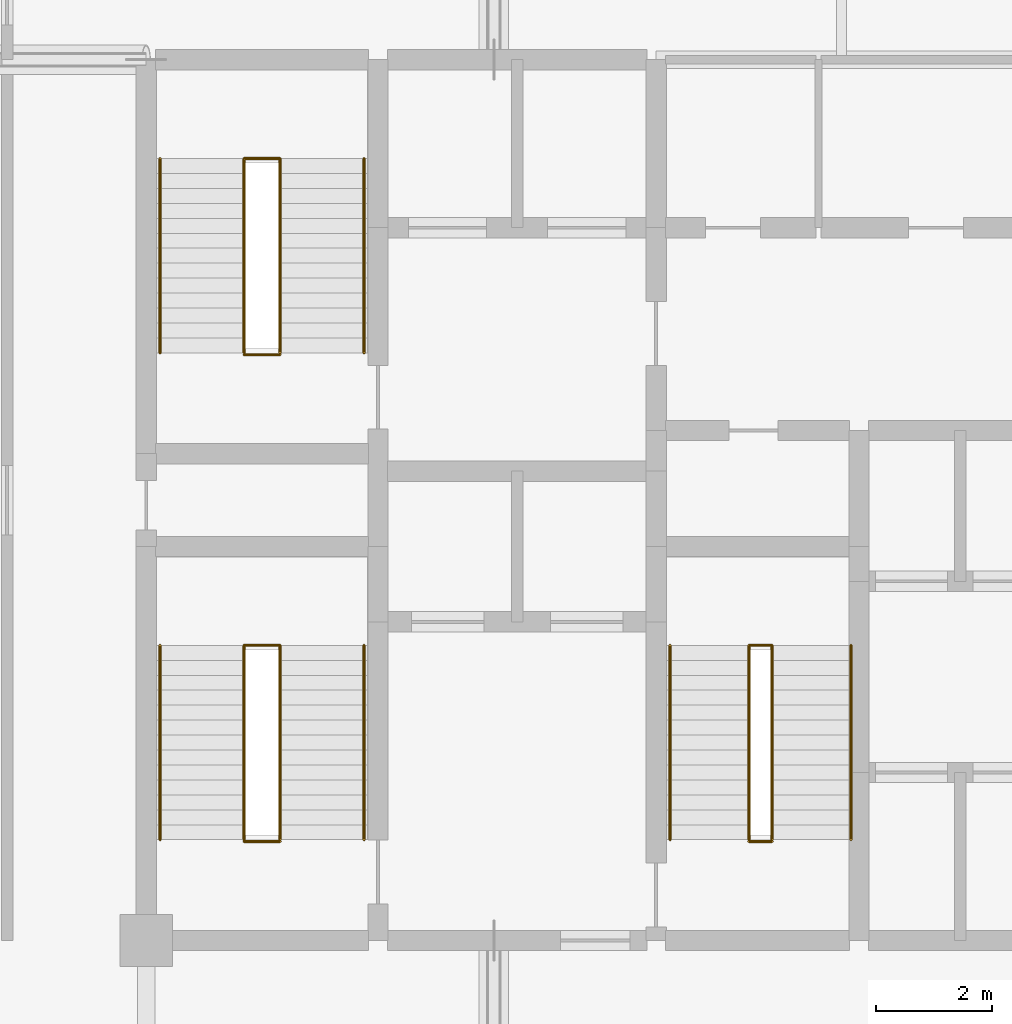
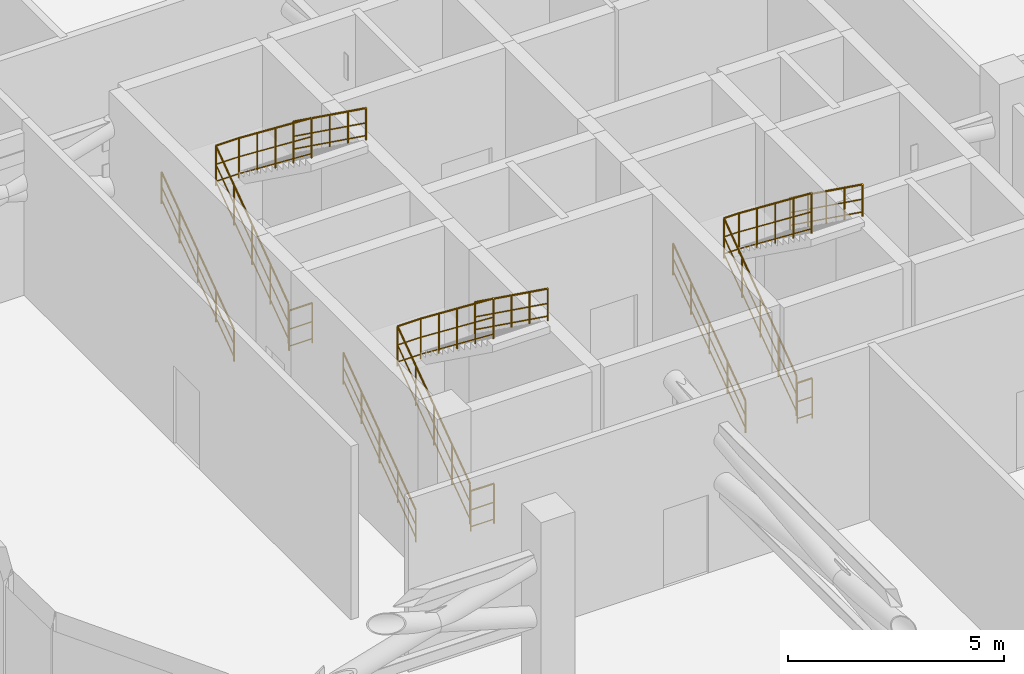
# One storey, part 12 of 12: 12 railings.
"""IFC4 building model written with IfcOpenShell, lengths in metres."""

from ifc_helpers import new_model, si_unit, direction, frame, origin, origin_2d, place, context, subcontext, project, spatial, circle, extrude, material, layer, layer_set, type_object, element, save


model = new_model("IFC4")

# Units and contexts
model_context = context("Model", 3, precision=1e-05, world=origin(), true_north=direction((0.0, 1.0)))
body_context = subcontext(model_context, "Body", "Model", "MODEL_VIEW")
ifc_project = project(units=[si_unit("LENGTHUNIT", "METRE"), si_unit("AREAUNIT", "SQUARE_METRE"), si_unit("VOLUMEUNIT", "CUBIC_METRE"), si_unit("PLANEANGLEUNIT", "RADIAN"), si_unit("MASSUNIT", "GRAM", prefix="KILO")], contexts=[model_context])

# Site, building, storey
site_placement = place(None, origin())
site = spatial("IfcSite", under=ifc_project, at=site_placement, CompositionType="ELEMENT")
building_placement = place(site_placement, origin())
building = spatial("IfcBuilding", under=site, at=building_placement, Name="Keshet Zoharim Tower", CompositionType="ELEMENT")
storey_placement = place(building_placement, frame((0.0, 0.0, 159.39990234375)))
storey = spatial("IfcBuildingStorey", under=building, at=storey_placement, Name="L39", CompositionType="ELEMENT", Elevation=159.39990234375)

# Railings
ifc_material = material(Name="Steel S355", Category="steel")
ifc_layer_1 = layer(ifc_material, 0.050048828125)
ifc_layer_set_1 = layer_set([ifc_layer_1], Name="Steel S355")
railing_type_1 = type_object("IfcRailingType", Name="RL-HND-092", PredefinedType="HANDRAIL", material=ifc_layer_set_1)
railing_1_placement = place(storey_placement, frame((15.239990234375, 24.43994140625, 0.185791015625)))
element("IfcRailing", 1, at=railing_1_placement, inside=storey, type_object=railing_type_1, Name="L39 ST-01 Flight 1 Wall Handrail", PredefinedType="HANDRAIL", context=body_context, shape_type="SweptSolid", body=[
    extrude(circle(Radius=0.02392578125, at=origin_2d()), frame((0.0, 0.0, 0.89599609375), z_axis=(0.0, 0.811600447766, 0.584212900565), x_axis=(-1.0, 0.0, 0.0)), (0.0, 0.0, 1.0), 4.132568359375),
    extrude(circle(Radius=0.01611328125, at=origin_2d()), frame((0.0, 0.0, 0.478271484375), z_axis=(0.0, 0.811600447766, 0.584212900565), x_axis=(-1.0, 0.0, 0.0)), (0.0, 0.0, 1.0), 4.132568359375),
    extrude(circle(Radius=0.01611328125, at=origin_2d()), frame((0.0, 0.0, 0.1201171875), z_axis=(0.0, 0.811600447766, 0.584212900565), x_axis=(-1.0, 0.0, 0.0)), (0.0, 0.0, 1.0), 4.132568359375),
    extrude(circle(Radius=0.02099609375, at=origin_2d()), origin(), (0.0, 0.0, 1.0), 0.871826171875),
    extrude(circle(Radius=0.02099609375, at=origin_2d()), frame((0.0, 0.83837890625, 0.603515625)), (0.0, 0.0, 1.0), 0.871826171875),
    extrude(circle(Radius=0.02099609375, at=origin_2d()), frame((0.0, 1.677001953125, 1.20703125)), (0.0, 0.0, 1.0), 0.871826171875),
    extrude(circle(Radius=0.02099609375, at=origin_2d()), frame((0.0, 2.515625, 1.810791015625)), (0.0, 0.0, 1.0), 0.871826171875),
    extrude(circle(Radius=0.02099609375, at=origin_2d()), frame((0.0, 3.35400390625, 2.414306640625)), (0.0, 0.0, 1.0), 0.871826171875),
])
railing_2_placement = place(storey_placement, frame((18.760009765625, 27.7939453125, 2.785888671875)))
element("IfcRailing", 2, at=railing_2_placement, inside=storey, type_object=railing_type_1, Name="L39 ST-01 Flight 2 Wall Handrail", PredefinedType="HANDRAIL", context=body_context, shape_type="SweptSolid", body=[
    extrude(circle(Radius=0.02392578125, at=origin_2d()), frame((0.0, 0.0, 0.89599609375), z_axis=(0.0, -0.811600447766, 0.584212900565), x_axis=(1.0, 0.0, 0.0)), (0.0, 0.0, 1.0), 4.132568359375),
    extrude(circle(Radius=0.01611328125, at=origin_2d()), frame((0.0, 0.0, 0.478271484375), z_axis=(0.0, -0.811600447766, 0.584212900565), x_axis=(1.0, 0.0, 0.0)), (0.0, 0.0, 1.0), 4.132568359375),
    extrude(circle(Radius=0.01611328125, at=origin_2d()), frame((0.0, 0.0, 0.1201171875), z_axis=(0.0, -0.811600447766, 0.584212900565), x_axis=(1.0, 0.0, 0.0)), (0.0, 0.0, 1.0), 4.132568359375),
    extrude(circle(Radius=0.02099609375, at=origin_2d()), origin(), (0.0, 0.0, 1.0), 0.871826171875),
    extrude(circle(Radius=0.02099609375, at=origin_2d()), frame((0.0, -0.83837890625, 0.603515625)), (0.0, 0.0, 1.0), 0.871826171875),
    extrude(circle(Radius=0.02099609375, at=origin_2d()), frame((0.0, -1.677001953125, 1.20703125)), (0.0, 0.0, 1.0), 0.871826171875),
    extrude(circle(Radius=0.02099609375, at=origin_2d()), frame((0.0, -2.515625, 1.810791015625)), (0.0, 0.0, 1.0), 0.871826171875),
    extrude(circle(Radius=0.02099609375, at=origin_2d()), frame((0.0, -3.35400390625, 2.414306640625)), (0.0, 0.0, 1.0), 0.871826171875),
])
railing_3_placement = place(storey_placement, frame((15.239990234375, 32.840087890625, 0.185791015625)))
element("IfcRailing", 3, at=railing_3_placement, inside=storey, type_object=railing_type_1, Name="L39 ST-02 Flight 1 Wall Handrail", PredefinedType="HANDRAIL", context=body_context, shape_type="SweptSolid", body=[
    extrude(circle(Radius=0.02392578125, at=origin_2d()), frame((0.0, 0.0, 0.89599609375), z_axis=(0.0, 0.811600447766, 0.584212900565), x_axis=(-1.0, 0.0, 0.0)), (0.0, 0.0, 1.0), 4.132568359375),
    extrude(circle(Radius=0.01611328125, at=origin_2d()), frame((0.0, 0.0, 0.478271484375), z_axis=(0.0, 0.811600447766, 0.584212900565), x_axis=(-1.0, 0.0, 0.0)), (0.0, 0.0, 1.0), 4.132568359375),
    extrude(circle(Radius=0.01611328125, at=origin_2d()), frame((0.0, 0.0, 0.1201171875), z_axis=(0.0, 0.811600447766, 0.584212900565), x_axis=(-1.0, 0.0, 0.0)), (0.0, 0.0, 1.0), 4.132568359375),
    extrude(circle(Radius=0.02099609375, at=origin_2d()), origin(), (0.0, 0.0, 1.0), 0.871826171875),
    extrude(circle(Radius=0.02099609375, at=origin_2d()), frame((0.0, 0.83837890625, 0.603515625)), (0.0, 0.0, 1.0), 0.871826171875),
    extrude(circle(Radius=0.02099609375, at=origin_2d()), frame((0.0, 1.677001953125, 1.20703125)), (0.0, 0.0, 1.0), 0.871826171875),
    extrude(circle(Radius=0.02099609375, at=origin_2d()), frame((0.0, 2.515625, 1.810791015625)), (0.0, 0.0, 1.0), 0.871826171875),
    extrude(circle(Radius=0.02099609375, at=origin_2d()), frame((0.0, 3.35400390625, 2.414306640625)), (0.0, 0.0, 1.0), 0.871826171875),
])
railing_4_placement = place(storey_placement, frame((18.760009765625, 36.194091796875, 2.785888671875)))
element("IfcRailing", 4, at=railing_4_placement, inside=storey, type_object=railing_type_1, Name="L39 ST-02 Flight 2 Wall Handrail", PredefinedType="HANDRAIL", context=body_context, shape_type="SweptSolid", body=[
    extrude(circle(Radius=0.02392578125, at=origin_2d()), frame((0.0, 0.0, 0.89599609375), z_axis=(0.0, -0.811600447766, 0.584212900565), x_axis=(1.0, 0.0, 0.0)), (0.0, 0.0, 1.0), 4.132568359375),
    extrude(circle(Radius=0.01611328125, at=origin_2d()), frame((0.0, 0.0, 0.478271484375), z_axis=(0.0, -0.811600447766, 0.584212900565), x_axis=(1.0, 0.0, 0.0)), (0.0, 0.0, 1.0), 4.132568359375),
    extrude(circle(Radius=0.01611328125, at=origin_2d()), frame((0.0, 0.0, 0.1201171875), z_axis=(0.0, -0.811600447766, 0.584212900565), x_axis=(1.0, 0.0, 0.0)), (0.0, 0.0, 1.0), 4.132568359375),
    extrude(circle(Radius=0.02099609375, at=origin_2d()), origin(), (0.0, 0.0, 1.0), 0.871826171875),
    extrude(circle(Radius=0.02099609375, at=origin_2d()), frame((0.0, -0.83837890625, 0.603515625)), (0.0, 0.0, 1.0), 0.871826171875),
    extrude(circle(Radius=0.02099609375, at=origin_2d()), frame((0.0, -1.677001953125, 1.20703125)), (0.0, 0.0, 1.0), 0.871826171875),
    extrude(circle(Radius=0.02099609375, at=origin_2d()), frame((0.0, -2.515625, 1.810791015625)), (0.0, 0.0, 1.0), 0.871826171875),
    extrude(circle(Radius=0.02099609375, at=origin_2d()), frame((0.0, -3.35400390625, 2.414306640625)), (0.0, 0.0, 1.0), 0.871826171875),
])
railing_5_placement = place(storey_placement, frame((24.0400390625, 24.43994140625, 0.185791015625)))
element("IfcRailing", 5, at=railing_5_placement, inside=storey, type_object=railing_type_1, Name="L39 ST-03 Flight 1 Wall Handrail", PredefinedType="HANDRAIL", context=body_context, shape_type="SweptSolid", body=[
    extrude(circle(Radius=0.02392578125, at=origin_2d()), frame((0.0, 0.0, 0.89599609375), z_axis=(0.0, 0.811600447766, 0.584212900565), x_axis=(-1.0, 0.0, 0.0)), (0.0, 0.0, 1.0), 4.132568359375),
    extrude(circle(Radius=0.01611328125, at=origin_2d()), frame((0.0, 0.0, 0.478271484375), z_axis=(0.0, 0.811600447766, 0.584212900565), x_axis=(-1.0, 0.0, 0.0)), (0.0, 0.0, 1.0), 4.132568359375),
    extrude(circle(Radius=0.01611328125, at=origin_2d()), frame((0.0, 0.0, 0.1201171875), z_axis=(0.0, 0.811600447766, 0.584212900565), x_axis=(-1.0, 0.0, 0.0)), (0.0, 0.0, 1.0), 4.132568359375),
    extrude(circle(Radius=0.02099609375, at=origin_2d()), origin(), (0.0, 0.0, 1.0), 0.871826171875),
    extrude(circle(Radius=0.02099609375, at=origin_2d()), frame((0.0, 0.83837890625, 0.603515625)), (0.0, 0.0, 1.0), 0.871826171875),
    extrude(circle(Radius=0.02099609375, at=origin_2d()), frame((0.0, 1.677001953125, 1.20703125)), (0.0, 0.0, 1.0), 0.871826171875),
    extrude(circle(Radius=0.02099609375, at=origin_2d()), frame((0.0, 2.515625, 1.810791015625)), (0.0, 0.0, 1.0), 0.871826171875),
    extrude(circle(Radius=0.02099609375, at=origin_2d()), frame((0.0, 3.35400390625, 2.414306640625)), (0.0, 0.0, 1.0), 0.871826171875),
])
railing_6_placement = place(storey_placement, frame((27.159912109375, 27.7939453125, 2.785888671875)))
element("IfcRailing", 6, at=railing_6_placement, inside=storey, type_object=railing_type_1, Name="L39 ST-03 Flight 2 Wall Handrail", PredefinedType="HANDRAIL", context=body_context, shape_type="SweptSolid", body=[
    extrude(circle(Radius=0.02392578125, at=origin_2d()), frame((0.0, 0.0, 0.89599609375), z_axis=(0.0, -0.811600447766, 0.584212900565), x_axis=(1.0, 0.0, 0.0)), (0.0, 0.0, 1.0), 4.132568359375),
    extrude(circle(Radius=0.01611328125, at=origin_2d()), frame((0.0, 0.0, 0.478271484375), z_axis=(0.0, -0.811600447766, 0.584212900565), x_axis=(1.0, 0.0, 0.0)), (0.0, 0.0, 1.0), 4.132568359375),
    extrude(circle(Radius=0.01611328125, at=origin_2d()), frame((0.0, 0.0, 0.1201171875), z_axis=(0.0, -0.811600447766, 0.584212900565), x_axis=(1.0, 0.0, 0.0)), (0.0, 0.0, 1.0), 4.132568359375),
    extrude(circle(Radius=0.02099609375, at=origin_2d()), origin(), (0.0, 0.0, 1.0), 0.871826171875),
    extrude(circle(Radius=0.02099609375, at=origin_2d()), frame((0.0, -0.83837890625, 0.603515625)), (0.0, 0.0, 1.0), 0.871826171875),
    extrude(circle(Radius=0.02099609375, at=origin_2d()), frame((0.0, -1.677001953125, 1.20703125)), (0.0, 0.0, 1.0), 0.871826171875),
    extrude(circle(Radius=0.02099609375, at=origin_2d()), frame((0.0, -2.515625, 1.810791015625)), (0.0, 0.0, 1.0), 0.871826171875),
    extrude(circle(Radius=0.02099609375, at=origin_2d()), frame((0.0, -3.35400390625, 2.414306640625)), (0.0, 0.0, 1.0), 0.871826171875),
])
ifc_layer_2 = layer(ifc_material, 0.06005859375)
ifc_layer_set_2 = layer_set([ifc_layer_2], Name="Steel S355")
railing_type_2 = type_object("IfcRailingType", Name="RL-STG-115", PredefinedType="GUARDRAIL", material=ifc_layer_set_2)
railing_7_placement = place(storey_placement, frame((16.68994140625, 24.43994140625, 0.185791015625)))
element("IfcRailing", 7, at=railing_7_placement, inside=storey, type_object=railing_type_2, Name="L39 ST-01 Inner Well Guardrail", PredefinedType="GUARDRAIL", context=body_context, shape_type="SweptSolid", body=[
    extrude(circle(Radius=0.02392578125, at=origin_2d()), frame((0.0, 0.0, 1.1259765625), z_axis=(0.0, 0.811600447766, 0.584212900565), x_axis=(-1.0, 0.0, 0.0)), (0.0, 0.0, 1.0), 4.132568359375),
    extrude(circle(Radius=0.01611328125, at=origin_2d()), frame((0.0, 0.0, 0.597900390625), z_axis=(0.0, 0.811600447766, 0.584212900565), x_axis=(-1.0, 0.0, 0.0)), (0.0, 0.0, 1.0), 4.132568359375),
    extrude(circle(Radius=0.01611328125, at=origin_2d()), frame((0.0, 0.0, 0.1201171875), z_axis=(0.0, 0.811600447766, 0.584212900565), x_axis=(-1.0, 0.0, 0.0)), (0.0, 0.0, 1.0), 4.132568359375),
    extrude(circle(Radius=0.02392578125, at=origin_2d()), frame((0.0, 3.35400390625, 3.5400390625), z_axis=(1.0, 0.0, 0.0), x_axis=(0.0, 1.0, 0.0)), (0.0, 0.0, 1.0), 0.6201171875),
    extrude(circle(Radius=0.01611328125, at=origin_2d()), frame((0.0, 3.35400390625, 3.01220703125), z_axis=(1.0, 0.0, 0.0), x_axis=(0.0, 1.0, 0.0)), (0.0, 0.0, 1.0), 0.6201171875),
    extrude(circle(Radius=0.01611328125, at=origin_2d()), frame((0.0, 3.35400390625, 2.534423828125), z_axis=(1.0, 0.0, 0.0), x_axis=(0.0, 1.0, 0.0)), (0.0, 0.0, 1.0), 0.6201171875),
    extrude(circle(Radius=0.02392578125, at=origin_2d()), frame((0.6201171875, 3.35400390625, 3.5400390625), z_axis=(0.0, -0.790330088008, 0.61268128092), x_axis=(1.0, 0.0, 0.0)), (0.0, 0.0, 1.0), 4.243896484375),
    extrude(circle(Radius=0.01611328125, at=origin_2d()), frame((0.6201171875, 3.35400390625, 3.01220703125), z_axis=(0.0, -0.790330088008, 0.61268128092), x_axis=(1.0, 0.0, 0.0)), (0.0, 0.0, 1.0), 4.243896484375),
    extrude(circle(Radius=0.01611328125, at=origin_2d()), frame((0.6201171875, 3.35400390625, 2.534423828125), z_axis=(0.0, -0.790330088008, 0.61268128092), x_axis=(1.0, 0.0, 0.0)), (0.0, 0.0, 1.0), 4.243896484375),
    extrude(circle(Radius=0.02099609375, at=origin_2d()), origin(), (0.0, 0.0, 1.0), 1.101806640625),
    extrude(circle(Radius=0.02099609375, at=origin_2d()), frame((0.0, 0.83837890625, 0.603515625)), (0.0, 0.0, 1.0), 1.101806640625),
    extrude(circle(Radius=0.02099609375, at=origin_2d()), frame((0.0, 1.677001953125, 1.20703125)), (0.0, 0.0, 1.0), 1.101806640625),
    extrude(circle(Radius=0.02099609375, at=origin_2d()), frame((0.0, 2.515625, 1.810791015625)), (0.0, 0.0, 1.0), 1.101806640625),
    extrude(circle(Radius=0.02099609375, at=origin_2d()), frame((0.0, 3.35400390625, 2.414306640625)), (0.0, 0.0, 1.0), 1.101806640625),
    extrude(circle(Radius=0.02099609375, at=origin_2d()), frame((0.6201171875, 3.35400390625, 2.414306640625)), (0.0, 0.0, 1.0), 1.101806640625),
    extrude(circle(Radius=0.02099609375, at=origin_2d()), frame((0.6201171875, 2.515625, 3.064453125)), (0.0, 0.0, 1.0), 1.101806640625),
    extrude(circle(Radius=0.02099609375, at=origin_2d()), frame((0.6201171875, 1.677001953125, 3.71435546875)), (0.0, 0.0, 1.0), 1.101806640625),
    extrude(circle(Radius=0.02099609375, at=origin_2d()), frame((0.6201171875, 0.83837890625, 4.3642578125)), (0.0, 0.0, 1.0), 1.101806640625),
    extrude(circle(Radius=0.02099609375, at=origin_2d()), frame((0.6201171875, 0.0, 5.014404296875)), (0.0, 0.0, 1.0), 1.101806640625),
])
railing_8_placement = place(storey_placement, frame((16.68994140625, 24.409912109375, 0.0)))
element("IfcRailing", 8, at=railing_8_placement, inside=storey, type_object=railing_type_2, Name="L39 ST-01 Stairwell Floor Guardrail", PredefinedType="GUARDRAIL", context=body_context, shape_type="SweptSolid", body=[
    extrude(circle(Radius=0.02392578125, at=origin_2d()), frame((0.0, 0.0, 1.1259765625), z_axis=(1.0, 0.0, 0.0), x_axis=(0.0, 1.0, 0.0)), (0.0, 0.0, 1.0), 0.6201171875),
    extrude(circle(Radius=0.01611328125, at=origin_2d()), frame((0.0, 0.0, 0.597900390625), z_axis=(1.0, 0.0, 0.0), x_axis=(0.0, 1.0, 0.0)), (0.0, 0.0, 1.0), 0.6201171875),
    extrude(circle(Radius=0.01611328125, at=origin_2d()), frame((0.0, 0.0, 0.1201171875), z_axis=(1.0, 0.0, 0.0), x_axis=(0.0, 1.0, 0.0)), (0.0, 0.0, 1.0), 0.6201171875),
    extrude(circle(Radius=0.02099609375, at=origin_2d()), origin(), (0.0, 0.0, 1.0), 1.101806640625),
    extrude(circle(Radius=0.02099609375, at=origin_2d()), frame((0.6201171875, 0.0, 0.0)), (0.0, 0.0, 1.0), 1.101806640625),
])
railing_9_placement = place(storey_placement, frame((16.68994140625, 32.840087890625, 0.185791015625)))
element("IfcRailing", 9, at=railing_9_placement, inside=storey, type_object=railing_type_2, Name="L39 ST-02 Inner Well Guardrail", PredefinedType="GUARDRAIL", context=body_context, shape_type="SweptSolid", body=[
    extrude(circle(Radius=0.02392578125, at=origin_2d()), frame((0.0, 0.0, 1.1259765625), z_axis=(0.0, 0.811600447766, 0.584212900565), x_axis=(-1.0, 0.0, 0.0)), (0.0, 0.0, 1.0), 4.132568359375),
    extrude(circle(Radius=0.01611328125, at=origin_2d()), frame((0.0, 0.0, 0.597900390625), z_axis=(0.0, 0.811600447766, 0.584212900565), x_axis=(-1.0, 0.0, 0.0)), (0.0, 0.0, 1.0), 4.132568359375),
    extrude(circle(Radius=0.01611328125, at=origin_2d()), frame((0.0, 0.0, 0.1201171875), z_axis=(0.0, 0.811600447766, 0.584212900565), x_axis=(-1.0, 0.0, 0.0)), (0.0, 0.0, 1.0), 4.132568359375),
    extrude(circle(Radius=0.02392578125, at=origin_2d()), frame((0.0, 3.35400390625, 3.5400390625), z_axis=(1.0, 0.0, 0.0), x_axis=(0.0, 1.0, 0.0)), (0.0, 0.0, 1.0), 0.6201171875),
    extrude(circle(Radius=0.01611328125, at=origin_2d()), frame((0.0, 3.35400390625, 3.01220703125), z_axis=(1.0, 0.0, 0.0), x_axis=(0.0, 1.0, 0.0)), (0.0, 0.0, 1.0), 0.6201171875),
    extrude(circle(Radius=0.01611328125, at=origin_2d()), frame((0.0, 3.35400390625, 2.534423828125), z_axis=(1.0, 0.0, 0.0), x_axis=(0.0, 1.0, 0.0)), (0.0, 0.0, 1.0), 0.6201171875),
    extrude(circle(Radius=0.02392578125, at=origin_2d()), frame((0.6201171875, 3.35400390625, 3.5400390625), z_axis=(0.0, -0.790330088008, 0.61268128092), x_axis=(1.0, 0.0, 0.0)), (0.0, 0.0, 1.0), 4.243896484375),
    extrude(circle(Radius=0.01611328125, at=origin_2d()), frame((0.6201171875, 3.35400390625, 3.01220703125), z_axis=(0.0, -0.790330088008, 0.61268128092), x_axis=(1.0, 0.0, 0.0)), (0.0, 0.0, 1.0), 4.243896484375),
    extrude(circle(Radius=0.01611328125, at=origin_2d()), frame((0.6201171875, 3.35400390625, 2.534423828125), z_axis=(0.0, -0.790330088008, 0.61268128092), x_axis=(1.0, 0.0, 0.0)), (0.0, 0.0, 1.0), 4.243896484375),
    extrude(circle(Radius=0.02099609375, at=origin_2d()), origin(), (0.0, 0.0, 1.0), 1.101806640625),
    extrude(circle(Radius=0.02099609375, at=origin_2d()), frame((0.0, 0.83837890625, 0.603515625)), (0.0, 0.0, 1.0), 1.101806640625),
    extrude(circle(Radius=0.02099609375, at=origin_2d()), frame((0.0, 1.677001953125, 1.20703125)), (0.0, 0.0, 1.0), 1.101806640625),
    extrude(circle(Radius=0.02099609375, at=origin_2d()), frame((0.0, 2.515625, 1.810791015625)), (0.0, 0.0, 1.0), 1.101806640625),
    extrude(circle(Radius=0.02099609375, at=origin_2d()), frame((0.0, 3.35400390625, 2.414306640625)), (0.0, 0.0, 1.0), 1.101806640625),
    extrude(circle(Radius=0.02099609375, at=origin_2d()), frame((0.6201171875, 3.35400390625, 2.414306640625)), (0.0, 0.0, 1.0), 1.101806640625),
    extrude(circle(Radius=0.02099609375, at=origin_2d()), frame((0.6201171875, 2.515625, 3.064453125)), (0.0, 0.0, 1.0), 1.101806640625),
    extrude(circle(Radius=0.02099609375, at=origin_2d()), frame((0.6201171875, 1.677001953125, 3.71435546875)), (0.0, 0.0, 1.0), 1.101806640625),
    extrude(circle(Radius=0.02099609375, at=origin_2d()), frame((0.6201171875, 0.83837890625, 4.3642578125)), (0.0, 0.0, 1.0), 1.101806640625),
    extrude(circle(Radius=0.02099609375, at=origin_2d()), frame((0.6201171875, 0.0, 5.014404296875)), (0.0, 0.0, 1.0), 1.101806640625),
])
railing_10_placement = place(storey_placement, frame((16.68994140625, 32.81005859375, 0.0)))
element("IfcRailing", 10, at=railing_10_placement, inside=storey, type_object=railing_type_2, Name="L39 ST-02 Stairwell Floor Guardrail", PredefinedType="GUARDRAIL", context=body_context, shape_type="SweptSolid", body=[
    extrude(circle(Radius=0.02392578125, at=origin_2d()), frame((0.0, 0.0, 1.1259765625), z_axis=(1.0, 0.0, 0.0), x_axis=(0.0, 1.0, 0.0)), (0.0, 0.0, 1.0), 0.6201171875),
    extrude(circle(Radius=0.01611328125, at=origin_2d()), frame((0.0, 0.0, 0.597900390625), z_axis=(1.0, 0.0, 0.0), x_axis=(0.0, 1.0, 0.0)), (0.0, 0.0, 1.0), 0.6201171875),
    extrude(circle(Radius=0.01611328125, at=origin_2d()), frame((0.0, 0.0, 0.1201171875), z_axis=(1.0, 0.0, 0.0), x_axis=(0.0, 1.0, 0.0)), (0.0, 0.0, 1.0), 0.6201171875),
    extrude(circle(Radius=0.02099609375, at=origin_2d()), origin(), (0.0, 0.0, 1.0), 1.101806640625),
    extrude(circle(Radius=0.02099609375, at=origin_2d()), frame((0.6201171875, 0.0, 0.0)), (0.0, 0.0, 1.0), 1.101806640625),
])
railing_11_placement = place(storey_placement, frame((25.39990234375, 24.43994140625, 0.185791015625)))
element("IfcRailing", 11, at=railing_11_placement, inside=storey, type_object=railing_type_2, Name="L39 ST-03 Inner Well Guardrail", PredefinedType="GUARDRAIL", context=body_context, shape_type="SweptSolid", body=[
    extrude(circle(Radius=0.02392578125, at=origin_2d()), frame((0.0, 0.0, 1.1259765625), z_axis=(0.0, 0.811600447766, 0.584212900565), x_axis=(-1.0, 0.0, 0.0)), (0.0, 0.0, 1.0), 4.132568359375),
    extrude(circle(Radius=0.01611328125, at=origin_2d()), frame((0.0, 0.0, 0.597900390625), z_axis=(0.0, 0.811600447766, 0.584212900565), x_axis=(-1.0, 0.0, 0.0)), (0.0, 0.0, 1.0), 4.132568359375),
    extrude(circle(Radius=0.01611328125, at=origin_2d()), frame((0.0, 0.0, 0.1201171875), z_axis=(0.0, 0.811600447766, 0.584212900565), x_axis=(-1.0, 0.0, 0.0)), (0.0, 0.0, 1.0), 4.132568359375),
    extrude(circle(Radius=0.02392578125, at=origin_2d()), frame((0.0, 3.35400390625, 3.5400390625), z_axis=(1.0, 0.0, 0.0), x_axis=(0.0, 1.0, 0.0)), (0.0, 0.0, 1.0), 0.400146484375),
    extrude(circle(Radius=0.01611328125, at=origin_2d()), frame((0.0, 3.35400390625, 3.01220703125), z_axis=(1.0, 0.0, 0.0), x_axis=(0.0, 1.0, 0.0)), (0.0, 0.0, 1.0), 0.400146484375),
    extrude(circle(Radius=0.01611328125, at=origin_2d()), frame((0.0, 3.35400390625, 2.534423828125), z_axis=(1.0, 0.0, 0.0), x_axis=(0.0, 1.0, 0.0)), (0.0, 0.0, 1.0), 0.400146484375),
    extrude(circle(Radius=0.02392578125, at=origin_2d()), frame((0.400146484375, 3.35400390625, 3.5400390625), z_axis=(0.0, -0.790330088008, 0.61268128092), x_axis=(1.0, 0.0, 0.0)), (0.0, 0.0, 1.0), 4.243896484375),
    extrude(circle(Radius=0.01611328125, at=origin_2d()), frame((0.400146484375, 3.35400390625, 3.01220703125), z_axis=(0.0, -0.790330088008, 0.61268128092), x_axis=(1.0, 0.0, 0.0)), (0.0, 0.0, 1.0), 4.243896484375),
    extrude(circle(Radius=0.01611328125, at=origin_2d()), frame((0.400146484375, 3.35400390625, 2.534423828125), z_axis=(0.0, -0.790330088008, 0.61268128092), x_axis=(1.0, 0.0, 0.0)), (0.0, 0.0, 1.0), 4.243896484375),
    extrude(circle(Radius=0.02099609375, at=origin_2d()), origin(), (0.0, 0.0, 1.0), 1.101806640625),
    extrude(circle(Radius=0.02099609375, at=origin_2d()), frame((0.0, 0.83837890625, 0.603515625)), (0.0, 0.0, 1.0), 1.101806640625),
    extrude(circle(Radius=0.02099609375, at=origin_2d()), frame((0.0, 1.677001953125, 1.20703125)), (0.0, 0.0, 1.0), 1.101806640625),
    extrude(circle(Radius=0.02099609375, at=origin_2d()), frame((0.0, 2.515625, 1.810791015625)), (0.0, 0.0, 1.0), 1.101806640625),
    extrude(circle(Radius=0.02099609375, at=origin_2d()), frame((0.0, 3.35400390625, 2.414306640625)), (0.0, 0.0, 1.0), 1.101806640625),
    extrude(circle(Radius=0.02099609375, at=origin_2d()), frame((0.400146484375, 3.35400390625, 2.414306640625)), (0.0, 0.0, 1.0), 1.101806640625),
    extrude(circle(Radius=0.02099609375, at=origin_2d()), frame((0.400146484375, 2.515625, 3.064453125)), (0.0, 0.0, 1.0), 1.101806640625),
    extrude(circle(Radius=0.02099609375, at=origin_2d()), frame((0.400146484375, 1.677001953125, 3.71435546875)), (0.0, 0.0, 1.0), 1.101806640625),
    extrude(circle(Radius=0.02099609375, at=origin_2d()), frame((0.400146484375, 0.83837890625, 4.3642578125)), (0.0, 0.0, 1.0), 1.101806640625),
    extrude(circle(Radius=0.02099609375, at=origin_2d()), frame((0.400146484375, 0.0, 5.014404296875)), (0.0, 0.0, 1.0), 1.101806640625),
])
railing_12_placement = place(storey_placement, frame((25.39990234375, 24.409912109375, 0.0)))
element("IfcRailing", 12, at=railing_12_placement, inside=storey, type_object=railing_type_2, Name="L39 ST-03 Stairwell Floor Guardrail", PredefinedType="GUARDRAIL", context=body_context, shape_type="SweptSolid", body=[
    extrude(circle(Radius=0.02392578125, at=origin_2d()), frame((0.0, 0.0, 1.1259765625), z_axis=(1.0, 0.0, 0.0), x_axis=(0.0, 1.0, 0.0)), (0.0, 0.0, 1.0), 0.400146484375),
    extrude(circle(Radius=0.01611328125, at=origin_2d()), frame((0.0, 0.0, 0.597900390625), z_axis=(1.0, 0.0, 0.0), x_axis=(0.0, 1.0, 0.0)), (0.0, 0.0, 1.0), 0.400146484375),
    extrude(circle(Radius=0.01611328125, at=origin_2d()), frame((0.0, 0.0, 0.1201171875), z_axis=(1.0, 0.0, 0.0), x_axis=(0.0, 1.0, 0.0)), (0.0, 0.0, 1.0), 0.400146484375),
    extrude(circle(Radius=0.02099609375, at=origin_2d()), origin(), (0.0, 0.0, 1.0), 1.101806640625),
    extrude(circle(Radius=0.02099609375, at=origin_2d()), frame((0.400146484375, 0.0, 0.0)), (0.0, 0.0, 1.0), 1.101806640625),
])

save(model, "model.ifc")
